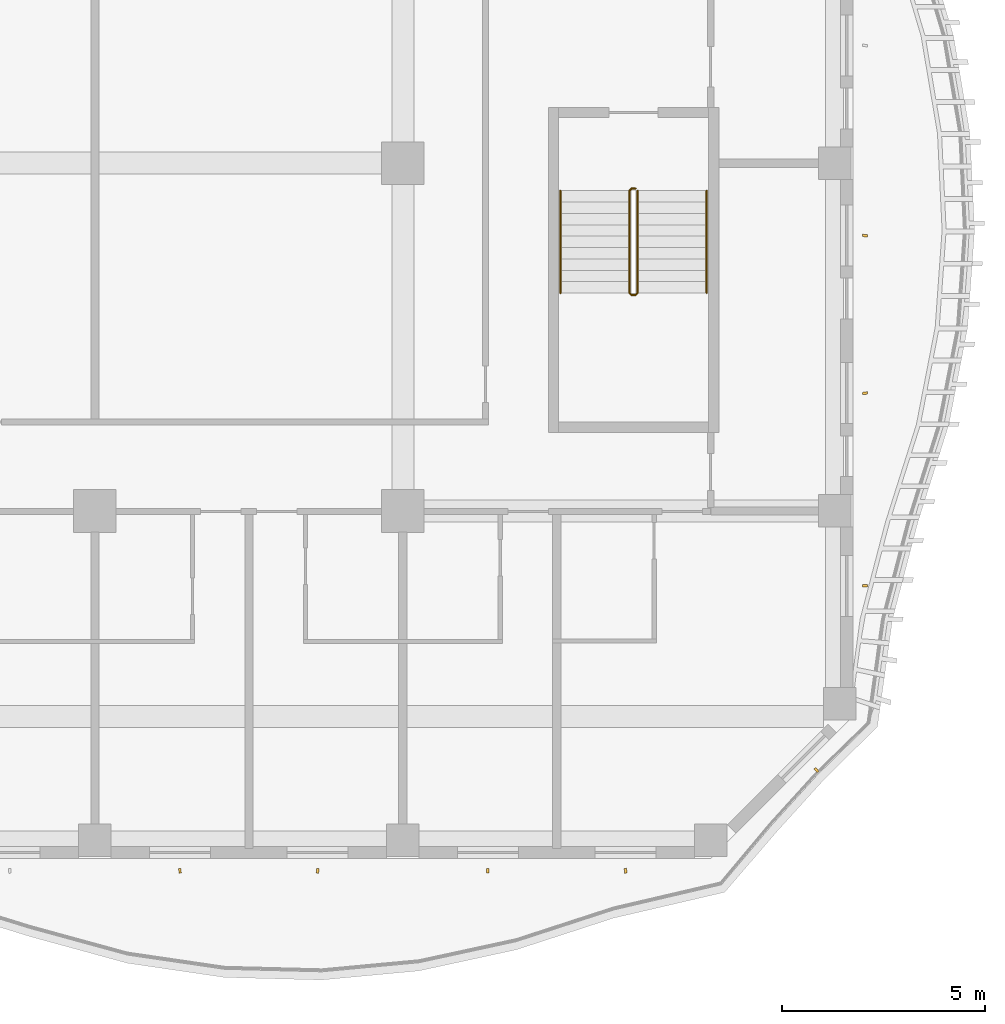
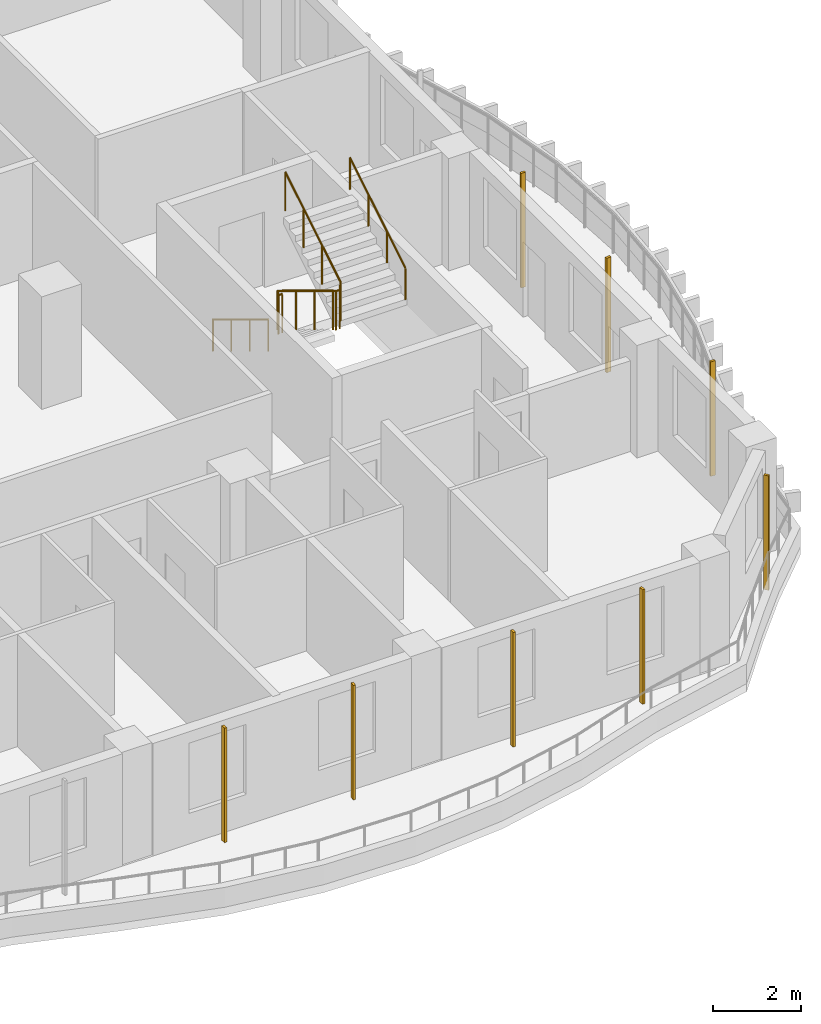
# One storey, part 17 of 22: 8 shading devices, 3 railings.
"""IFC4 building model written with IfcOpenShell, lengths in metres."""

from ifc_helpers import new_model, si_unit, direction, frame, origin, origin_2d, place, context, subcontext, project, spatial, rectangle, circle, extrude, source, transform, mapped, material, material_profile, profile_set, type_object, element, save


model = new_model("IFC4")

# Units and contexts
model_context = context("Model", 3, precision=1e-05, world=origin(), true_north=direction((0.0, 1.0)))
body_context = subcontext(model_context, "Body", "Model", "MODEL_VIEW")
ifc_project = project(units=[si_unit("LENGTHUNIT", "METRE"), si_unit("AREAUNIT", "SQUARE_METRE"), si_unit("VOLUMEUNIT", "CUBIC_METRE"), si_unit("PLANEANGLEUNIT", "RADIAN"), si_unit("MASSUNIT", "GRAM", prefix="KILO")], contexts=[model_context])

# Site, building, storey
site_placement = place(None, origin())
site = spatial("IfcSite", under=ifc_project, at=site_placement, CompositionType="ELEMENT")
building_placement = place(site_placement, origin())
building = spatial("IfcBuilding", under=site, at=building_placement, Name="Kilnfold Tower and Market Hall", CompositionType="ELEMENT")
storey_placement = place(building_placement, frame((0.0, 0.0, 188.89990234375)))
storey = spatial("IfcBuildingStorey", under=building, at=storey_placement, Name="L45", CompositionType="ELEMENT", Elevation=188.89990234375)

# Railings
ifc_material_1 = material(Name="Stainless steel 316", Category="steel")
railing_type_1 = type_object("IfcRailingType", Name="CORE STAIR GUARD 1100", PredefinedType="GUARDRAIL", material=ifc_material_1)
railing_1_placement = place(storey_placement, frame((19.89990234375, -9.75, 0.0)))
element("IfcRailing", 1, at=railing_1_placement, inside=storey, type_object=railing_type_1, Name="L45 ST4 stair guard 1", PredefinedType="GUARDRAIL", context=body_context, shape_type="SweptSolid", body=[
    extrude(circle(Radius=0.02392578125, at=origin_2d()), frame((0.0, 0.0, 1.076171875), z_axis=(-1.0, 0.0, 0.0), x_axis=(0.0, -1.0, 0.0)), (0.0, 0.0, 1.0), 0.099853515625),
    extrude(circle(Radius=0.02392578125, at=origin_2d()), frame((-0.099853515625, 0.0, 1.076171875), z_axis=(-0.271562723297, -0.271562723297, 0.923313259209), x_axis=(0.707106781187, -0.707106781187, 0.0)), (0.0, 0.0, 1.0), 0.184326171875),
    extrude(circle(Radius=0.02392578125, at=origin_2d()), frame((-0.14990234375, -0.050048828125, 1.24609375), z_axis=(0.0, -0.85478489116, 0.518982456201), x_axis=(1.0, 0.0, 0.0)), (0.0, 0.0, 1.0), 2.9482421875),
    extrude(circle(Radius=0.02392578125, at=origin_2d()), frame((-0.14990234375, -2.570068359375, 2.7763671875), z_axis=(0.707106781187, -0.707106781187, 0.0), x_axis=(0.707106781187, 0.707106781187, 0.0)), (0.0, 0.0, 1.0), 0.07080078125),
    extrude(circle(Radius=0.02392578125, at=origin_2d()), frame((-0.099853515625, -2.6201171875, 2.7763671875), z_axis=(1.0, 0.0, 0.0), x_axis=(0.0, 1.0, 0.0)), (0.0, 0.0, 1.0), 0.099853515625),
    extrude(circle(Radius=0.02392578125, at=origin_2d()), frame((0.0, -2.6201171875, 2.7763671875), z_axis=(0.271895245746, 0.271895245746, 0.923117517265), x_axis=(-0.707106781187, 0.707106781187, 0.0)), (0.0, 0.0, 1.0), 0.18408203125),
    extrude(circle(Radius=0.02392578125, at=origin_2d()), frame((0.050048828125, -2.570068359375, 2.9462890625), z_axis=(0.0, 0.85478489116, 0.518982456201), x_axis=(-1.0, 0.0, 0.0)), (0.0, 0.0, 1.0), 2.9482421875),
    extrude(circle(Radius=0.02099609375, at=origin_2d()), origin(), (0.0, 0.0, 1.0), 1.052001953125),
    extrude(circle(Radius=0.02099609375, at=origin_2d()), frame((-0.099853515625, 0.0, 0.0)), (0.0, 0.0, 1.0), 1.052001953125),
    extrude(circle(Radius=0.02099609375, at=origin_2d()), frame((-0.14990234375, -0.050048828125, 0.170166015625)), (0.0, 0.0, 1.0), 1.052001953125),
    extrude(circle(Radius=0.02099609375, at=origin_2d()), frame((-0.14990234375, -0.89013671875, 0.68017578125)), (0.0, 0.0, 1.0), 1.052001953125),
    extrude(circle(Radius=0.02099609375, at=origin_2d()), frame((-0.14990234375, -1.72998046875, 1.190185546875)), (0.0, 0.0, 1.0), 1.052001953125),
    extrude(circle(Radius=0.02099609375, at=origin_2d()), frame((-0.14990234375, -2.570068359375, 1.7001953125)), (0.0, 0.0, 1.0), 1.052001953125),
    extrude(circle(Radius=0.02099609375, at=origin_2d()), frame((-0.099853515625, -2.6201171875, 1.7001953125)), (0.0, 0.0, 1.0), 1.052001953125),
    extrude(circle(Radius=0.02099609375, at=origin_2d()), frame((0.0, -2.6201171875, 1.7001953125)), (0.0, 0.0, 1.0), 1.052001953125),
    extrude(circle(Radius=0.02099609375, at=origin_2d()), frame((0.050048828125, -2.570068359375, 1.8701171875)), (0.0, 0.0, 1.0), 1.052001953125),
    extrude(circle(Radius=0.02099609375, at=origin_2d()), frame((0.050048828125, -1.72998046875, 2.380126953125)), (0.0, 0.0, 1.0), 1.052001953125),
    extrude(circle(Radius=0.02099609375, at=origin_2d()), frame((0.050048828125, -0.89013671875, 2.89013671875)), (0.0, 0.0, 1.0), 1.052001953125),
    extrude(circle(Radius=0.02099609375, at=origin_2d()), frame((0.050048828125, -0.050048828125, 3.400146484375)), (0.0, 0.0, 1.0), 1.052001953125),
])
ifc_material_2 = material(Name="Stainless steel 316", Category="steel")
railing_type_2 = type_object("IfcRailingType", Name="CORE STAIR HANDRAIL 900", PredefinedType="HANDRAIL", material=ifc_material_2)
railing_2_placement = place(storey_placement, frame((18.050048828125, -9.800048828125, 0.170166015625)))
element("IfcRailing", 2, at=railing_2_placement, inside=storey, type_object=railing_type_2, Name="L45 ST4 stair handrail 1", PredefinedType="HANDRAIL", context=body_context, shape_type="SweptSolid", body=[
    extrude(circle(Radius=0.02392578125, at=origin_2d()), frame((0.0, 0.0, 0.8759765625), z_axis=(0.0, -0.85478489116, 0.518982456201), x_axis=(1.0, 0.0, 0.0)), (0.0, 0.0, 1.0), 2.9482421875),
    extrude(circle(Radius=0.02099609375, at=origin_2d()), origin(), (0.0, 0.0, 1.0), 0.851806640625),
    extrude(circle(Radius=0.02099609375, at=origin_2d()), frame((0.0, -0.840087890625, 0.510009765625)), (0.0, 0.0, 1.0), 0.851806640625),
    extrude(circle(Radius=0.02099609375, at=origin_2d()), frame((0.0, -1.679931640625, 1.02001953125)), (0.0, 0.0, 1.0), 0.851806640625),
    extrude(circle(Radius=0.02099609375, at=origin_2d()), frame((0.0, -2.52001953125, 1.530029296875)), (0.0, 0.0, 1.0), 0.851806640625),
])
railing_3_placement = place(storey_placement, frame((21.64990234375, -12.320068359375, 1.8701171875)))
element("IfcRailing", 3, at=railing_3_placement, inside=storey, type_object=railing_type_2, Name="L45 ST4 stair handrail 2", PredefinedType="HANDRAIL", context=body_context, shape_type="SweptSolid", body=[
    extrude(circle(Radius=0.02392578125, at=origin_2d()), frame((0.0, 0.0, 0.8759765625), z_axis=(0.0, 0.85478489116, 0.518982456201), x_axis=(-1.0, 0.0, 0.0)), (0.0, 0.0, 1.0), 2.9482421875),
    extrude(circle(Radius=0.02099609375, at=origin_2d()), origin(), (0.0, 0.0, 1.0), 0.851806640625),
    extrude(circle(Radius=0.02099609375, at=origin_2d()), frame((0.0, 0.840087890625, 0.510009765625)), (0.0, 0.0, 1.0), 0.851806640625),
    extrude(circle(Radius=0.02099609375, at=origin_2d()), frame((0.0, 1.679931640625, 1.02001953125)), (0.0, 0.0, 1.0), 0.851806640625),
    extrude(circle(Radius=0.02099609375, at=origin_2d()), frame((0.0, 2.52001953125, 1.530029296875)), (0.0, 0.0, 1.0), 0.851806640625),
])

# Shading devices
ifc_material_3 = material(Name="Terracotta", Category="masonry")
ifc_material_profile = material_profile(ifc_material_3, rectangle(XDim=0.06005859375, YDim=0.1201171875, at=origin_2d()), Name="BAG 60x120")
ifc_profile_set = profile_set([ifc_material_profile], Name="Terracotta")
shading_device_type = type_object("IfcShadingDeviceType", Name="BAGUETTE", PredefinedType="USERDEFINED", material=ifc_profile_set)
shared_shape = source(origin(), body_context, "Body", "SweptSolid", [
    extrude(rectangle(XDim=0.06005859375, YDim=0.1201171875, at=origin_2d()), origin(), (0.0, 0.0, 1.0), 3.18017578125),
])
for number, where, z_axis, x_axis, name in (
    (4, (8.67919921875, -26.550048828125, 0.0), (0.0, 0.0, 1.0), (0.998972469075, 0.045321143308, 0.0), "Terracotta baguette L45 S"),
    (5, (12.07080078125, -26.550048828125, 0.0), (0.0, 0.0, 1.0), (0.99160042918, -0.129339046113, 0.0), "Terracotta baguette L45 S"),
    (6, (16.262451171875, -26.550048828125, 0.0), (0.0, 0.0, 1.0), (0.999953809619, -0.009611380204, 0.0), "Terracotta baguette L45 S"),
    (7, (19.654296875, -26.550048828125, 0.0), (0.0, 0.0, 1.0), (0.990401691539, 0.138218990726, 0.0), "Terracotta baguette L45 S"),
    (8, (24.35498046875, -24.0693359375, 0.0), (0.0, 0.0, 1.0), (0.772454329706, 0.635070317775, 0.0), "Terracotta baguette L45 SE"),
    (9, (25.550048828125, -19.53173828125, 0.0), (0.0, 0.0, 1.0), (0.030944982718, 0.999521089345, 0.0), "Terracotta baguette L45 E"),
    (10, (25.550048828125, -14.78759765625, 0.0), (0.0, 0.0, 1.0), (-0.131486501567, 0.991317961053, 0.0), "Terracotta baguette L45 E"),
    (11, (25.550048828125, -10.90625, 0.0), (0.0, 0.0, 1.0), (0.067628719732, 0.99771055736, 0.0), "Terracotta baguette L45 E"),
):
    element("IfcShadingDevice", number, at=place(storey_placement, frame(where, z_axis=z_axis, x_axis=x_axis)), inside=storey, type_object=shading_device_type, Name=name, ObjectType="BAGUETTE", PredefinedType="USERDEFINED", context=body_context, shape_type="MappedRepresentation", body=[
        mapped(shared_shape, transform((0.0, 0.0, 0.0))),
    ])

save(model, "model.ifc")
